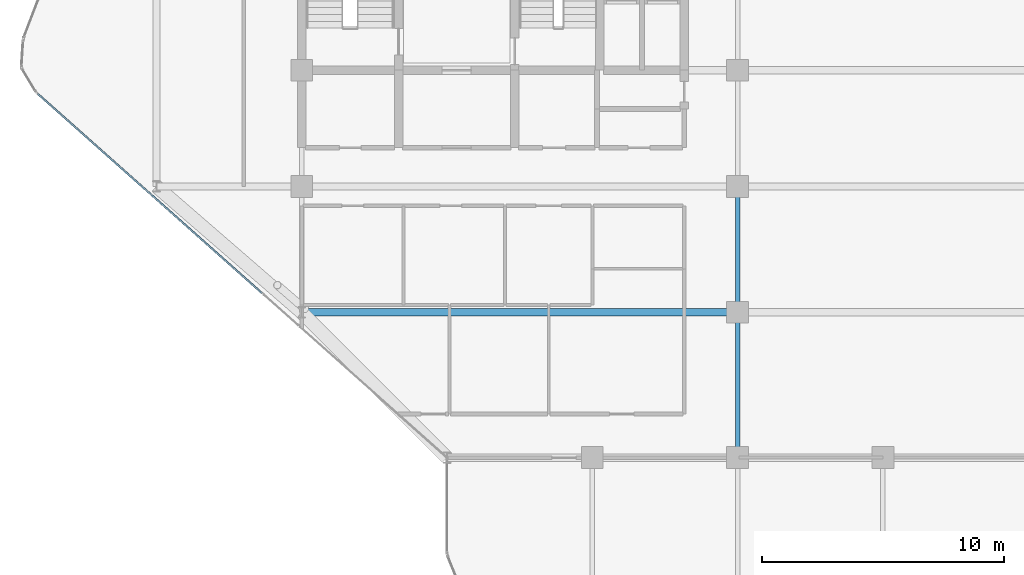
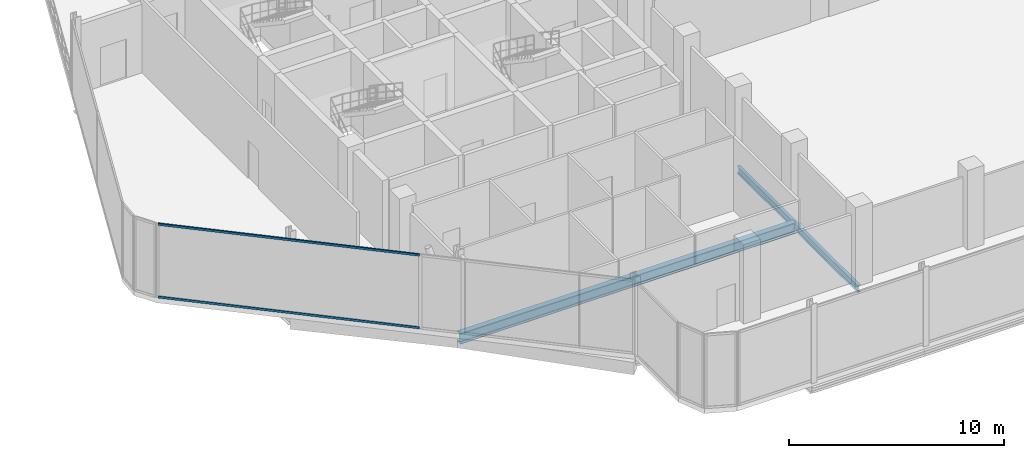
# One storey, part 7 of 31: 3 beams, 2 members, 1 element without a shape of its own.
"""IFC4 building model written with IfcOpenShell, lengths in metres."""

from ifc_helpers import new_model, si_unit, direction, frame, origin, origin_2d, place, context, subcontext, project, spatial, hollow_rectangle, i_section, extrude, material, layer, layer_set, material_profile, profile_set, type_object, element, aggregate, save


model = new_model("IFC4")

# Units and contexts
model_context = context("Model", 3, precision=1e-05, world=origin(), true_north=direction((0.0, 1.0)))
body_context = subcontext(model_context, "Body", "Model", "MODEL_VIEW")
ifc_project = project(units=[si_unit("LENGTHUNIT", "METRE"), si_unit("AREAUNIT", "SQUARE_METRE"), si_unit("VOLUMEUNIT", "CUBIC_METRE"), si_unit("PLANEANGLEUNIT", "RADIAN"), si_unit("MASSUNIT", "GRAM", prefix="KILO")], contexts=[model_context])

# Site, building, storey
site_placement = place(None, origin())
site = spatial("IfcSite", under=ifc_project, at=site_placement, CompositionType="ELEMENT")
building_placement = place(site_placement, origin())
building = spatial("IfcBuilding", under=site, at=building_placement, Name="Keshet Zoharim Tower", CompositionType="ELEMENT")
storey_placement = place(building_placement, frame((0.0, 0.0, 183.89990234375)))
storey = spatial("IfcBuildingStorey", under=building, at=storey_placement, Name="L45", CompositionType="ELEMENT", Elevation=183.89990234375)

# Beams
ifc_material_1 = material(Name="Steel S355", Category="steel")
ifc_material_profile_1 = material_profile(ifc_material_1, i_section(OverallWidth=0.300048828125, OverallDepth=0.60009765625, WebThickness=0.015380859375, FlangeThickness=0.030029296875, FilletRadius=0.027099609375, at=origin_2d()), Name="HEB600")
ifc_profile_set_1 = profile_set([ifc_material_profile_1], Name="Steel S355")
beam_type_1 = type_object("IfcBeamType", Name="BM-LNG-HB600", PredefinedType="BEAM", material=ifc_profile_set_1)
beam_1_placement = place(storey_placement, frame((15.0, 12.699951171875, -0.619873046875), z_axis=(1.0, 0.0, 0.0), x_axis=(0.0, 1.0, 0.0)))
element("IfcBeam", 1, at=beam_1_placement, inside=storey, type_object=beam_type_1, Name="L45 Primary Girder X-009", PredefinedType="BEAM", context=body_context, shape_type="SweptSolid", body=[
    extrude(i_section(OverallWidth=0.300048828125, OverallDepth=0.60009765625, WebThickness=0.015380859375, FlangeThickness=0.030029296875, FilletRadius=0.027099609375, at=origin_2d()), origin(), (0.0, 0.0, 1.0), 18.0),
])
ifc_material_profile_2 = material_profile(ifc_material_1, i_section(OverallWidth=0.179931640625, OverallDepth=0.39990234375, WebThickness=0.008544921875, FlangeThickness=0.013427734375, FilletRadius=0.02099609375, at=origin_2d()), Name="IPE400")
ifc_profile_set_2 = profile_set([ifc_material_profile_2], Name="Steel S355")
beam_type_2 = type_object("IfcBeamType", Name="BM-PRI-IP400", PredefinedType="BEAM", material=ifc_profile_set_2)
beam_2_placement = place(storey_placement, frame((33.0, 6.699951171875, -0.52001953125), z_axis=(0.0, 1.0, 0.0), x_axis=(-1.0, 0.0, 0.0)))
element("IfcBeam", 2, at=beam_2_placement, inside=storey, type_object=beam_type_2, Name="L45 Primary Girder Y-006", PredefinedType="BEAM", context=body_context, shape_type="SweptSolid", body=[
    extrude(i_section(OverallWidth=0.179931640625, OverallDepth=0.39990234375, WebThickness=0.008544921875, FlangeThickness=0.013427734375, FilletRadius=0.02099609375, at=origin_2d()), origin(), (0.0, 0.0, 1.0), 6.0),
])
beam_3_placement = place(storey_placement, frame((33.0, 12.699951171875, -0.52001953125), z_axis=(0.0, 1.0, 0.0), x_axis=(-1.0, 0.0, 0.0)))
element("IfcBeam", 3, at=beam_3_placement, inside=storey, type_object=beam_type_2, Name="L45 Primary Girder Y-007", PredefinedType="BEAM", context=body_context, shape_type="SweptSolid", body=[
    extrude(i_section(OverallWidth=0.179931640625, OverallDepth=0.39990234375, WebThickness=0.008544921875, FlangeThickness=0.013427734375, FilletRadius=0.02099609375, at=origin_2d()), origin(), (0.0, 0.0, 1.0), 5.199951171875),
])

# Curtain wall, members
ifc_material_2 = material(Name="Aluminium 6063-T6", Category="aluminium")
ifc_layer = layer(ifc_material_2, 0.139892578125)
ifc_layer_set = layer_set([ifc_layer], Name="Aluminium 6063-T6")
curtain_wall_type = type_object("IfcCurtainWallType", Name="CW-SYS-05", PredefinedType="NOTDEFINED", material=ifc_layer_set)
curtain_wall_placement = place(storey_placement, origin())
curtain_wall = element("IfcCurtainWall", 4, at=curtain_wall_placement, inside=storey, type_object=curtain_wall_type, Name="L45 Unitised Curtain Wall 15 Part 3", PredefinedType="NOTDEFINED")
ifc_material_profile_3 = material_profile(ifc_material_2, hollow_rectangle(XDim=0.074951171875, YDim=0.1201171875, WallThickness=0.00390625, at=origin_2d()), Name="TRN-75x120")
ifc_profile_set_3 = profile_set([ifc_material_profile_3], Name="Aluminium 6063-T6")
member_type = type_object("IfcMemberType", Name="CWT-T12", PredefinedType="USERDEFINED", material=ifc_profile_set_3)
member_1_placement = place(storey_placement, frame((13.359130859375, 13.491943359375, 0.03515625), z_axis=(-0.747412576164, 0.664360174147, 0.0), x_axis=(-0.664360174147, -0.747412576164, 0.0)))
member_1 = element("IfcMember", 5, at=member_1_placement, type_object=member_type, Name="CW-05 transom 1.1", ObjectType="TRANSOM", PredefinedType="USERDEFINED", context=body_context, shape_type="SweptSolid", body=[
    extrude(hollow_rectangle(XDim=0.074951171875, YDim=0.1201171875, WallThickness=0.00390625, at=origin_2d()), origin(), (0.0, 0.0, 1.0), 12.405029296875),
])
member_2_placement = place(storey_placement, frame((13.359130859375, 13.491943359375, 4.155029296875), z_axis=(-0.747412576164, 0.664360174147, 0.0), x_axis=(-0.664360174147, -0.747412576164, 0.0)))
member_2 = element("IfcMember", 6, at=member_2_placement, type_object=member_type, Name="CW-05 transom 1.2", ObjectType="TRANSOM", PredefinedType="USERDEFINED", context=body_context, shape_type="SweptSolid", body=[
    extrude(hollow_rectangle(XDim=0.074951171875, YDim=0.1201171875, WallThickness=0.00390625, at=origin_2d()), origin(), (0.0, 0.0, 1.0), 12.405029296875),
])
aggregate(curtain_wall, [member_1, member_2])

save(model, "model.ifc")
